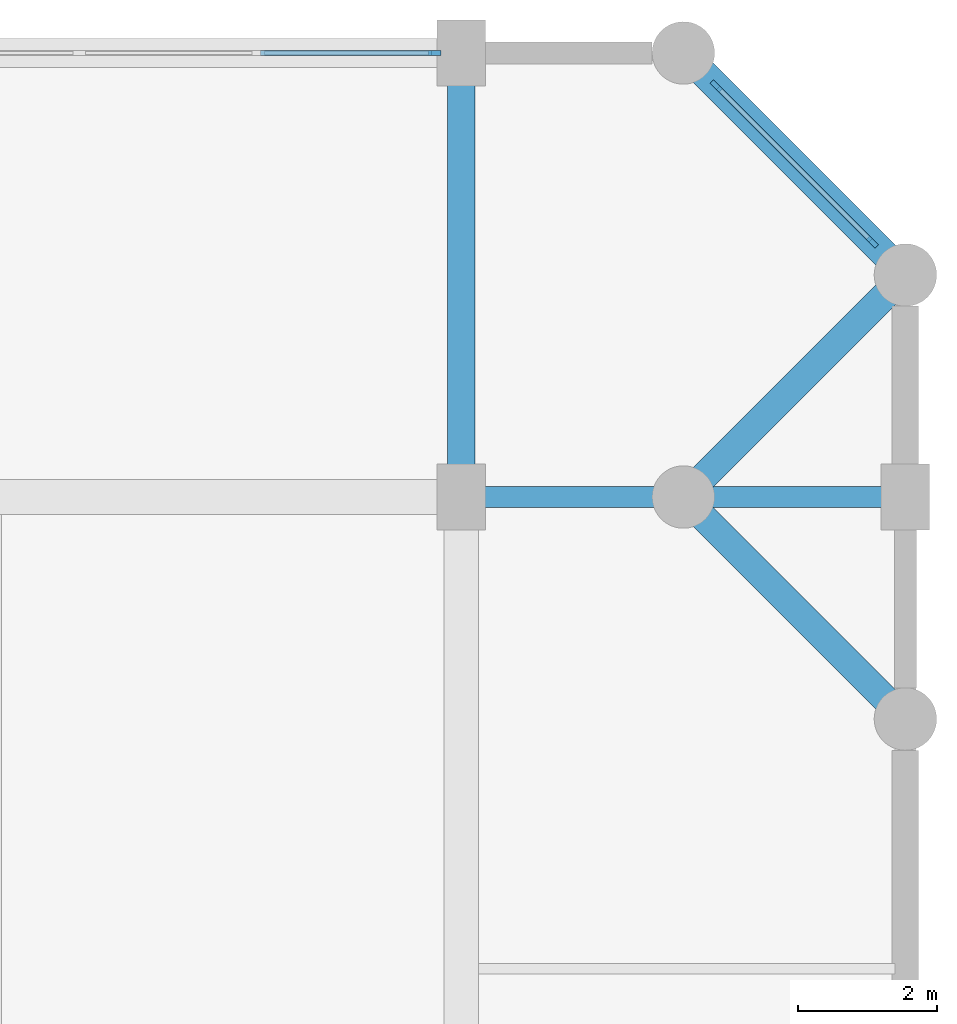
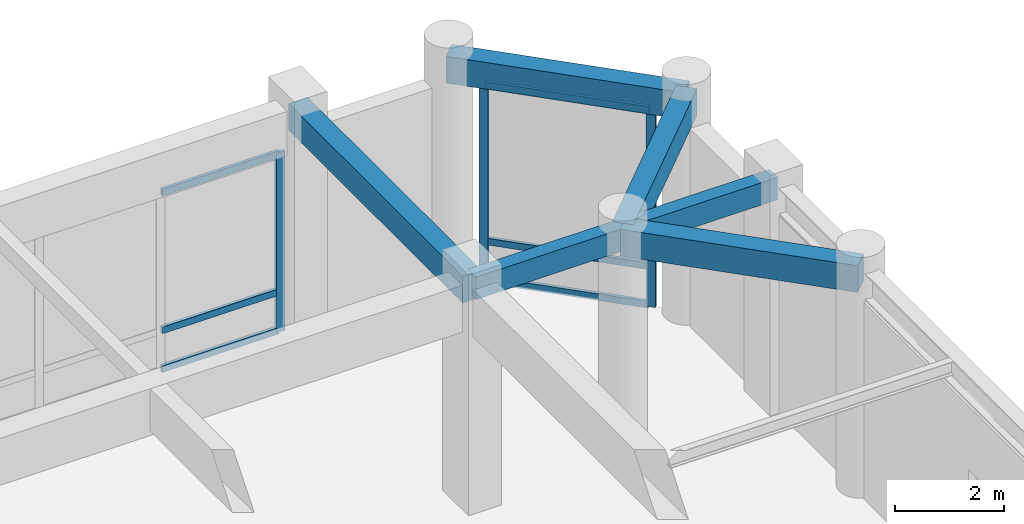
# One storey, part 18 of 36: 9 members, 5 beams, 2 elements without a shape of their own.
"""IFC4 building model written with IfcOpenShell, lengths in metres."""

import ifcopenshell
import ifcopenshell.guid

model = None  # the IFC model being written
_history = None  # IfcOwnerHistory: only IFC2X3 demands one
_inside = {}  # id of a spatial element -> (the spatial element, [elements in it])
_under = {}  # id of a project, library or spatial element -> (it, [spatial elements below it])
_declared = {}  # id of a project -> (the project, [libraries it declares])
_typed = {}  # id of a type object -> (the type object, [elements of that type])
_made_of = {}  # id of a material, layer set ... -> (it, [elements and type objects made of it])


def new_model(schema):
    """Start an empty IFC model of exactly this schema.

    Asked for "IFC4X3", IfcOpenShell would pick the latest addendum, in which some entities
    have other attributes; the version numbers below select the first issue.
    IFC2X3 requires an IfcOwnerHistory on every rooted entity: one is made here for all.
    """
    global model, _history
    if schema == "IFC4X3":
        model = ifcopenshell.file(schema_version=(4, 3, 0, 0))
    else:
        model = ifcopenshell.file(schema=schema)
    _inside.clear()
    _under.clear()
    _declared.clear()
    _typed.clear()
    _made_of.clear()
    _history = None
    if model.schema == "IFC2X3":
        org = make("IfcOrganization", Name="unknown")
        user = make(
            "IfcPersonAndOrganization",
            ThePerson=make("IfcPerson", FamilyName="unknown"),
            TheOrganization=org,
        )
        app = make(
            "IfcApplication",
            ApplicationDeveloper=org,
            Version="unknown",
            ApplicationFullName="unknown",
            ApplicationIdentifier="unknown",
        )
        _history = make(
            "IfcOwnerHistory",
            OwningUser=user,
            OwningApplication=app,
            ChangeAction="ADDED",
            CreationDate=0,
        )
    return model


def make(cls, **values):
    """One entity of the class cls with the attributes given. An attribute that is None is left unset."""
    return model.create_entity(
        cls, **{name: value for name, value in values.items() if value is not None}
    )


def rooted(cls, **values):
    """An entity with a GlobalId (a new one), such as an element, a storey or a relation."""
    return make(cls, GlobalId=ifcopenshell.guid.new(), OwnerHistory=_history, **values)


def si_unit(unit_type, name, prefix=None):
    """IfcSIUnit, for example si_unit("LENGTHUNIT", "METRE", prefix="MILLI")."""
    return make("IfcSIUnit", UnitType=unit_type, Prefix=prefix, Name=name)


def assignment(units):
    """IfcUnitAssignment: the units of a project."""
    return None if units is None else make("IfcUnitAssignment", Units=units)


def point(xyz):
    """IfcCartesianPoint."""
    return None if xyz is None else make("IfcCartesianPoint", Coordinates=xyz)


def direction(xyz):
    """IfcDirection."""
    return None if xyz is None else make("IfcDirection", DirectionRatios=xyz)


def frame(location, z_axis=None, x_axis=None):
    """IfcAxis2Placement3D, a coordinate frame: its origin and axes. An axis left out is left unset."""
    return make(
        "IfcAxis2Placement3D",
        Location=point(location),
        Axis=direction(z_axis),
        RefDirection=direction(x_axis),
    )


def frame_2d(location, x_axis=None):
    """IfcAxis2Placement2D, a coordinate frame in the plane: its origin and x axis."""
    return make(
        "IfcAxis2Placement2D", Location=point(location), RefDirection=direction(x_axis)
    )


def origin():
    """The frame at (0, 0, 0) with its axes left unset."""
    return frame((0.0, 0.0, 0.0))


def origin_2d():
    """The frame at (0, 0) in the plane with its x axis left unset."""
    return frame_2d((0.0, 0.0))


def place(relative_to, where):
    """IfcLocalPlacement: puts the frame where relative to a parent placement (None: the world)."""
    return make(
        "IfcLocalPlacement", PlacementRelTo=relative_to, RelativePlacement=where
    )


def context(
    kind, dimensions, precision=None, world=None, true_north=None, identifier=None
):
    """IfcGeometricRepresentationContext, for example the 3D "Model" context."""
    return make(
        "IfcGeometricRepresentationContext",
        ContextIdentifier=identifier,
        ContextType=kind,
        CoordinateSpaceDimension=dimensions,
        Precision=precision,
        WorldCoordinateSystem=world,
        TrueNorth=true_north,
    )


def subcontext(parent, identifier, kind, view, scale=None):
    """IfcGeometricRepresentationSubContext, for example "Body" below "Model"."""
    return make(
        "IfcGeometricRepresentationSubContext",
        ContextIdentifier=identifier,
        ContextType=kind,
        ParentContext=parent,
        TargetScale=scale,
        TargetView=view,
    )


def project(units=None, contexts=None):
    """IfcProject with its units and contexts."""
    return rooted(
        "IfcProject",
        Name="project",
        RepresentationContexts=contexts,
        UnitsInContext=assignment(units),
    )


def spatial(cls, under=None, at=None, **own):
    """A site, building, storey or space (cls), placed at a placement, below another one or the project."""
    s = rooted(cls, ObjectPlacement=at, **own)
    if under is not None:
        _under.setdefault(under.id(), (under, []))[1].append(s)
    return s


def profile(cls, at=None, kind="AREA", **sizes):
    """A parametric profile (cls). Its sizes go by their IFC names, for example OverallWidth=200.0."""
    return make(cls, ProfileType=kind, Position=at, **sizes)


def rectangle(**sizes):
    """IfcRectangleProfileDef."""
    return profile("IfcRectangleProfileDef", **sizes)


def extrude(swept, where, along, depth):
    """IfcExtrudedAreaSolid: the profile swept, set in the frame where, extruded along a direction by depth."""
    return make(
        "IfcExtrudedAreaSolid",
        SweptArea=swept,
        Position=where,
        ExtrudedDirection=direction(along),
        Depth=depth,
    )


def shape(context_of_items, identifier, shape_type, items):
    """IfcShapeRepresentation: the items that make up one representation, for example the "Body"."""
    return make(
        "IfcShapeRepresentation",
        ContextOfItems=context_of_items,
        RepresentationIdentifier=identifier,
        RepresentationType=shape_type,
        Items=items,
    )


def material(Name=None, Category=None):
    """IfcMaterial."""
    return make("IfcMaterial", Name=Name, Category=Category)


def material_profile(
    of_material, cross_section, Name=None, Category=None, Priority=None
):
    """IfcMaterialProfile: a cross section and its material."""
    return make(
        "IfcMaterialProfile",
        Name=Name,
        Material=of_material,
        Profile=cross_section,
        Priority=Priority,
        Category=Category,
    )


def profile_set(profiles, Name=None, composite=None):
    """IfcMaterialProfileSet."""
    return make(
        "IfcMaterialProfileSet",
        Name=Name,
        MaterialProfiles=profiles,
        CompositeProfile=composite,
    )


def made_of(thing, what):
    """Note that an element or type object is made of a material, layer set ...; save() writes the relation."""
    if what is not None:
        _made_of.setdefault(what.id(), (what, []))[1].append(thing)
    return thing


def type_object(cls, material=None, **own):
    """A type object (cls), such as IfcWallType, which elements share."""
    return made_of(rooted(cls, **own), material)


def element(
    cls,
    number,
    at=None,
    inside=None,
    cuts=None,
    type_object=None,
    material=None,
    context=None,
    identifier="Body",
    shape_type=None,
    held_by="IfcProductDefinitionShape",
    body=None,
    shapes=None,
    **own,
):
    """One element of the class cls, such as IfcWall. Its Tag is "e" and its number.

    at: its placement. inside: the storey or other place that contains it. cuts: it is an
    opening in that element (IfcRelVoidsElement). A single representation is given by context,
    identifier, shape_type and body (its items); several are given by shapes. held_by: the class
    of the entity that holds the representations. save() writes the other relations.
    """
    e = rooted(cls, Tag="e%d" % number, ObjectPlacement=at, **own)
    if body is not None:
        shapes = [shape(context, identifier, shape_type, body)]
    if shapes is not None:
        e.Representation = make(held_by, Representations=shapes)
    if inside is not None:
        _inside.setdefault(inside.id(), (inside, []))[1].append(e)
    if cuts is not None:
        rooted(
            "IfcRelVoidsElement", RelatingBuildingElement=cuts, RelatedOpeningElement=e
        )
    if type_object is not None:
        _typed.setdefault(type_object.id(), (type_object, []))[1].append(e)
    return made_of(e, material)


def aggregate(whole, parts):
    """IfcRelAggregates: a whole, such as a stair, and the parts it consists of."""
    return rooted("IfcRelAggregates", RelatingObject=whole, RelatedObjects=parts)


def save(model, path):
    """Write the relations noted so far, then the file.

    IfcRelAggregates (storeys below a building ...), IfcRelContainedInSpatialStructure (elements
    in a storey), IfcRelDefinesByType, IfcRelAssociatesMaterial and IfcRelDeclares: one each for
    every whole, place, type object, material and project.
    """
    for whole, parts in _under.values():
        aggregate(whole, parts)
    for where, things in _inside.values():
        rooted(
            "IfcRelContainedInSpatialStructure",
            RelatedElements=things,
            RelatingStructure=where,
        )
    for kind, things in _typed.values():
        rooted("IfcRelDefinesByType", RelatedObjects=things, RelatingType=kind)
    for what, things in _made_of.values():
        rooted("IfcRelAssociatesMaterial", RelatedObjects=things, RelatingMaterial=what)
    for by, libraries in _declared.values():
        rooted("IfcRelDeclares", RelatingContext=by, RelatedDefinitions=libraries)
    model.write(path)


model = new_model("IFC4")

# Units and contexts
model_context = context("Model", 3, precision=1e-05, world=origin(), true_north=direction((0.0, 1.0)))
body_context = subcontext(model_context, "Body", "Model", "MODEL_VIEW")
ifc_project = project(units=[si_unit("LENGTHUNIT", "METRE"), si_unit("AREAUNIT", "SQUARE_METRE"), si_unit("VOLUMEUNIT", "CUBIC_METRE"), si_unit("PLANEANGLEUNIT", "RADIAN"), si_unit("MASSUNIT", "GRAM", prefix="KILO")], contexts=[model_context])

# Site, building, storey
site_placement = place(None, origin())
site = spatial("IfcSite", under=ifc_project, at=site_placement, CompositionType="ELEMENT")
building_placement = place(site_placement, origin())
building = spatial("IfcBuilding", under=site, at=building_placement, Name="Vellmiral Cinema and Media Centre", CompositionType="ELEMENT")
storey_placement = place(building_placement, frame((0.0, 0.0, 5.39990234375)))
storey = spatial("IfcBuildingStorey", under=building, at=storey_placement, Name="L01", CompositionType="ELEMENT", Elevation=5.39990234375)

# Beams
ifc_material_1 = material(Name="Concrete C40/50", Category="concrete")
ifc_material_profile_1 = material_profile(ifc_material_1, rectangle(XDim=0.300048828125, YDim=0.5, at=origin_2d()), Name="RC 300x500")
ifc_profile_set_1 = profile_set([ifc_material_profile_1], Name="Concrete C40/50")
beam_type_1 = type_object("IfcBeamType", Name="BM-RC-300x500", PredefinedType="BEAM", material=ifc_profile_set_1)
beam_1_placement = place(storey_placement, frame((161.60009765625, 108.800048828125, 4.78515625), z_axis=(1.0, 0.0, 0.0), x_axis=(0.0, 1.0, 0.0)))
element("IfcBeam", 1, at=beam_1_placement, inside=storey, type_object=beam_type_1, Name="Grid Beam L01-X171", PredefinedType="BEAM", context=body_context, shape_type="SweptSolid", body=[
    extrude(rectangle(XDim=0.300048828125, YDim=0.5, at=origin_2d()), origin(), (0.0, 0.0, 1.0), 6.39990234375),
])
ifc_material_2 = material(Name="Concrete C40/50", Category="concrete")
ifc_material_profile_2 = material_profile(ifc_material_2, rectangle(XDim=0.39990234375, YDim=0.60009765625, at=origin_2d()), Name="RC 400x600")
ifc_profile_set_2 = profile_set([ifc_material_profile_2], Name="Concrete C40/50")
beam_type_2 = type_object("IfcBeamType", Name="BM-RC-400x600", PredefinedType="BEAM", material=ifc_profile_set_2)
beam_2_placement = place(storey_placement, frame((161.60009765625, 108.800048828125, 4.735107421875), z_axis=(0.0, 1.0, 0.0), x_axis=(-1.0, 0.0, 0.0)))
element("IfcBeam", 2, at=beam_2_placement, inside=storey, type_object=beam_type_2, Name="Grid Beam L01-Y343", PredefinedType="BEAM", context=body_context, shape_type="SweptSolid", body=[
    extrude(rectangle(XDim=0.39990234375, YDim=0.60009765625, at=origin_2d()), origin(), (0.0, 0.0, 1.0), 6.39990234375),
])

# Curtain wall, members
ifc_material_3 = material(Name="Thermally Broken Aluminium and Triple Glazing", Category="aluminium")
curtain_wall_type = type_object("IfcCurtainWallType", Name="CW-LIB-BAY", PredefinedType="USERDEFINED", material=ifc_material_3)
curtain_wall_1_placement = place(storey_placement, origin())
curtain_wall_1 = element("IfcCurtainWall", 3, at=curtain_wall_1_placement, inside=storey, type_object=curtain_wall_type, Name="Curtain Wall L01-B044", ObjectType="STICK CURTAIN WALL", PredefinedType="USERDEFINED")
ifc_material_4 = material(Name="Thermally Broken Anodised Aluminium", Category="aluminium")
ifc_material_profile_3 = material_profile(ifc_material_4, rectangle(XDim=0.070068359375, YDim=0.179931640625, at=origin_2d()), Name="MULL 70x180")
ifc_profile_set_3 = profile_set([ifc_material_profile_3], Name="Thermally Broken Anodised Aluminium")
member_type_1 = type_object("IfcMemberType", Name="CWM-70x180", PredefinedType="MULLION", material=ifc_profile_set_3)
member_1_placement = place(storey_placement, frame((167.525146484375, 112.474853515625, 0.0), z_axis=(0.0, 0.0, 1.0), x_axis=(-0.707106781187, -0.707106781187, 0.0)))
member_1 = element("IfcMember", 4, at=member_1_placement, type_object=member_type_1, Name="CW-03 mullion 1", PredefinedType="MULLION", context=body_context, shape_type="SweptSolid", body=[
    extrude(rectangle(XDim=0.070068359375, YDim=0.179931640625, at=origin_2d()), origin(), (0.0, 0.0, 1.0), 4.440185546875),
])
member_2_placement = place(storey_placement, frame((165.274658203125, 114.725341796875, 0.0), z_axis=(0.0, 0.0, 1.0), x_axis=(-0.707106781187, -0.707106781187, 0.0)))
member_2 = element("IfcMember", 5, at=member_2_placement, type_object=member_type_1, Name="CW-03 mullion 2", PredefinedType="MULLION", context=body_context, shape_type="SweptSolid", body=[
    extrude(rectangle(XDim=0.070068359375, YDim=0.179931640625, at=origin_2d()), origin(), (0.0, 0.0, 1.0), 4.440185546875),
])

# Curtain wall, member
curtain_wall_2_placement = place(storey_placement, origin())
curtain_wall_2 = element("IfcCurtainWall", 6, at=curtain_wall_2_placement, inside=storey, type_object=curtain_wall_type, Name="Curtain Wall L01-B046", ObjectType="STICK CURTAIN WALL", PredefinedType="USERDEFINED")
member_3_placement = place(storey_placement, frame((161.215087890625, 115.199951171875, 0.0), z_axis=(0.0, 0.0, 1.0), x_axis=(0.0, -1.0, 0.0)))
member_3 = element("IfcMember", 7, at=member_3_placement, type_object=member_type_1, Name="CW-03 mullion 1", PredefinedType="MULLION", context=body_context, shape_type="SweptSolid", body=[
    extrude(rectangle(XDim=0.070068359375, YDim=0.179931640625, at=origin_2d()), origin(), (0.0, 0.0, 1.0), 4.025146484375),
])

# Member
ifc_material_5 = material(Name="Thermally Broken Anodised Aluminium", Category="aluminium")
ifc_material_profile_4 = material_profile(ifc_material_5, rectangle(XDim=0.070068359375, YDim=0.14990234375, at=origin_2d()), Name="MULL 70x150")
ifc_profile_set_4 = profile_set([ifc_material_profile_4], Name="Thermally Broken Anodised Aluminium")
member_type_2 = type_object("IfcMemberType", Name="CWT-70x150", PredefinedType="USERDEFINED", material=ifc_profile_set_4)
member_4_placement = place(storey_placement, frame((167.50048828125, 112.49951171875, 0.03515625), z_axis=(-0.707106781187, 0.707106781187, 0.0), x_axis=(-0.707106781187, -0.707106781187, 0.0)))
member_4 = element("IfcMember", 8, at=member_4_placement, type_object=member_type_2, Name="CW-03 transom 1.1", ObjectType="TRANSOM", PredefinedType="USERDEFINED", context=body_context, shape_type="SweptSolid", body=[
    extrude(rectangle(XDim=0.070068359375, YDim=0.14990234375, at=origin_2d()), origin(), (0.0, 0.0, 1.0), 3.112548828125),
])

member_5_placement = place(storey_placement, frame((167.50048828125, 112.49951171875, 0.900146484375), z_axis=(-0.707106781187, 0.707106781187, 0.0), x_axis=(-0.707106781187, -0.707106781187, 0.0)))
member_5 = element("IfcMember", 9, at=member_5_placement, type_object=member_type_2, Name="CW-03 transom 1.2", ObjectType="TRANSOM", PredefinedType="USERDEFINED", context=body_context, shape_type="SweptSolid", body=[
    extrude(rectangle(XDim=0.070068359375, YDim=0.14990234375, at=origin_2d()), origin(), (0.0, 0.0, 1.0), 3.112548828125),
])

member_6_placement = place(storey_placement, frame((167.50048828125, 112.49951171875, 4.405029296875), z_axis=(-0.707106781187, 0.707106781187, 0.0), x_axis=(-0.707106781187, -0.707106781187, 0.0)))
member_6 = element("IfcMember", 10, at=member_6_placement, type_object=member_type_2, Name="CW-03 transom 1.3", ObjectType="TRANSOM", PredefinedType="USERDEFINED", context=body_context, shape_type="SweptSolid", body=[
    extrude(rectangle(XDim=0.070068359375, YDim=0.14990234375, at=origin_2d()), origin(), (0.0, 0.0, 1.0), 3.112548828125),
])

aggregate(curtain_wall_1, [member_1, member_2, member_4, member_5, member_6])

member_7_placement = place(storey_placement, frame((161.179931640625, 115.199951171875, 0.03515625), z_axis=(-1.0, 0.0, 0.0), x_axis=(0.0, -1.0, 0.0)))
member_7 = element("IfcMember", 11, at=member_7_placement, type_object=member_type_2, Name="CW-03 transom 1.1", ObjectType="TRANSOM", PredefinedType="USERDEFINED", context=body_context, shape_type="SweptSolid", body=[
    extrude(rectangle(XDim=0.070068359375, YDim=0.14990234375, at=origin_2d()), origin(), (0.0, 0.0, 1.0), 2.474853515625),
])

member_8_placement = place(storey_placement, frame((161.179931640625, 115.199951171875, 0.900146484375), z_axis=(-1.0, 0.0, 0.0), x_axis=(0.0, -1.0, 0.0)))
member_8 = element("IfcMember", 12, at=member_8_placement, type_object=member_type_2, Name="CW-03 transom 1.2", ObjectType="TRANSOM", PredefinedType="USERDEFINED", context=body_context, shape_type="SweptSolid", body=[
    extrude(rectangle(XDim=0.070068359375, YDim=0.14990234375, at=origin_2d()), origin(), (0.0, 0.0, 1.0), 2.474853515625),
])

member_9_placement = place(storey_placement, frame((161.179931640625, 115.199951171875, 3.989990234375), z_axis=(-1.0, 0.0, 0.0), x_axis=(0.0, -1.0, 0.0)))
member_9 = element("IfcMember", 13, at=member_9_placement, type_object=member_type_2, Name="CW-03 transom 1.3", ObjectType="TRANSOM", PredefinedType="USERDEFINED", context=body_context, shape_type="SweptSolid", body=[
    extrude(rectangle(XDim=0.070068359375, YDim=0.14990234375, at=origin_2d()), origin(), (0.0, 0.0, 1.0), 2.474853515625),
])

aggregate(curtain_wall_2, [member_3, member_7, member_8, member_9])

# Beams
ifc_material_6 = material(Name="Concrete C40/50", Category="concrete")
ifc_material_profile_5 = material_profile(ifc_material_6, rectangle(XDim=0.39990234375, YDim=0.60009765625, at=origin_2d()), Name="RC 400x600")
ifc_profile_set_5 = profile_set([ifc_material_profile_5], Name="Concrete C40/50")
beam_type_3 = type_object("IfcBeamType", Name="SPD-RC-400x600", PredefinedType="SPANDREL", material=ifc_profile_set_5)
for number, where, z_axis, x_axis, name in (
    (14, (164.800048828125, 108.800048828125, 4.735107421875), (0.707106781187, -0.707106781187, 0.0), (0.707106781187, 0.707106781187, 0.0), "Xamfra Chamfer Spandrel Beam L01-352"),
    (15, (164.800048828125, 108.800048828125, 4.735107421875), (0.707106781187, 0.707106781187, 0.0), (-0.707106781187, 0.707106781187, 0.0), "Xamfra Chamfer Spandrel Beam L01-353"),
    (16, (164.800048828125, 115.199951171875, 4.735107421875), (0.707106781187, -0.707106781187, 0.0), (0.707106781187, 0.707106781187, 0.0), "Xamfra Chamfer Spandrel Beam L01-354"),
):
    element("IfcBeam", number, at=place(storey_placement, frame(where, z_axis=z_axis, x_axis=x_axis)), inside=storey, type_object=beam_type_3, Name=name, PredefinedType="SPANDREL", context=body_context, shape_type="SweptSolid", body=[
        extrude(rectangle(XDim=0.39990234375, YDim=0.60009765625, at=origin_2d()), origin(), (0.0, 0.0, 1.0), 4.525390625),
    ])

save(model, "model.ifc")
